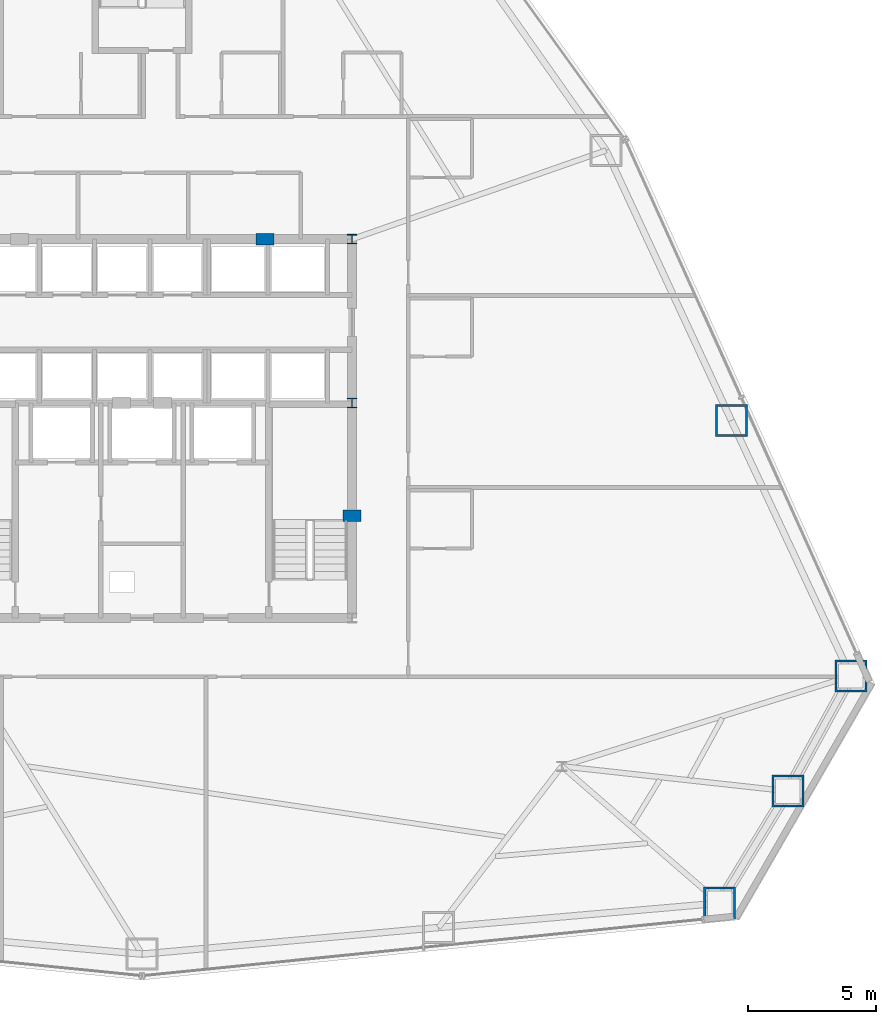
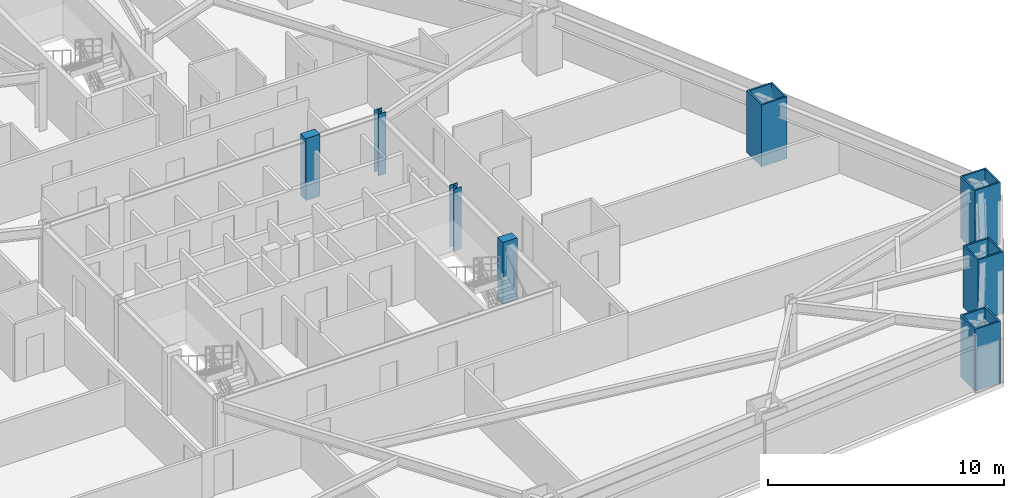
# One storey, part 2 of 12: 8 columns.
"""IFC4 building model written with IfcOpenShell, lengths in metres."""

from ifc_helpers import new_model, si_unit, direction, frame, origin, origin_2d, place, context, subcontext, project, spatial, rectangle, hollow_rectangle, i_section, extrude, material, material_profile, profile_set, type_object, element, save


model = new_model("IFC4")

# Units and contexts
model_context = context("Model", 3, precision=1e-05, world=origin(), true_north=direction((0.0, 1.0)))
body_context = subcontext(model_context, "Body", "Model", "MODEL_VIEW")
ifc_project = project(units=[si_unit("LENGTHUNIT", "METRE"), si_unit("AREAUNIT", "SQUARE_METRE"), si_unit("VOLUMEUNIT", "CUBIC_METRE"), si_unit("PLANEANGLEUNIT", "RADIAN"), si_unit("MASSUNIT", "GRAM", prefix="KILO")], contexts=[model_context])

# Site, building, storey
site_placement = place(None, origin())
site = spatial("IfcSite", under=ifc_project, at=site_placement, CompositionType="ELEMENT")
building_placement = place(site_placement, origin())
building = spatial("IfcBuilding", under=site, at=building_placement, Name="Varakhsha Concourse Tower", CompositionType="ELEMENT")
storey_placement = place(building_placement, frame((0.0, 0.0, 30.39990234375)))
storey = spatial("IfcBuildingStorey", under=building, at=storey_placement, Name="L07", CompositionType="ELEMENT", Elevation=30.39990234375)

# Columns
ifc_material_1 = material(Name="Structural Steel ASTM A992 Grade 50", Category="steel")
ifc_material_profile_1 = material_profile(ifc_material_1, i_section(OverallWidth=0.3740234375, OverallDepth=0.3720703125, WebThickness=0.01611328125, FlangeThickness=0.02587890625, at=origin_2d()), Name="W14X132")
ifc_profile_set_1 = profile_set([ifc_material_profile_1], Name="Structural Steel ASTM A992 Grade 50")
column_type_1 = type_object("IfcColumnType", Name="CL-CORE-W14X132", PredefinedType="COLUMN", material=ifc_profile_set_1)
for number, where, z_axis, x_axis, name in (
    (1, (48.199951171875, 24.800048828125, 0.0), (0.0, 0.0, 1.0), (1.0, 0.0, 0.0), "L07 Core Column CC-ME"),
    (2, (48.199951171875, 31.199951171875, 0.0), (0.0, 0.0, 1.0), (1.0, 0.0, 0.0), "L07 Core Column CC-NE"),
):
    element("IfcColumn", number, at=place(storey_placement, frame(where, z_axis=z_axis, x_axis=x_axis)), inside=storey, type_object=column_type_1, Name=name, PredefinedType="COLUMN", context=body_context, shape_type="SweptSolid", body=[
        extrude(i_section(OverallWidth=0.3740234375, OverallDepth=0.3720703125, WebThickness=0.01611328125, FlangeThickness=0.02587890625, at=origin_2d()), origin(), (0.0, 0.0, 1.0), 3.2001953125),
    ])
ifc_material_2 = material(Name="Concrete fc 65 MPa", Category="concrete")
ifc_material_profile_2 = material_profile(ifc_material_2, rectangle(XDim=0.699951171875, YDim=0.449951171875, at=origin_2d()), Name="RC 700x450")
ifc_profile_set_2 = profile_set([ifc_material_profile_2], Name="Concrete fc 65 MPa")
column_type_2 = type_object("IfcColumnType", Name="CL-PIL-700X450", PredefinedType="PILASTER", material=ifc_profile_set_2)
for number, where, z_axis, x_axis, name in (
    (3, (48.199951171875, 20.39990234375, 0.0), (0.0, 0.0, 1.0), (1.0, 0.0, 0.0), "L07 Core Boundary Pilaster PIL-E1"),
    (4, (44.800048828125, 31.199951171875, 0.0), (0.0, 0.0, 1.0), (1.0, 0.0, 0.0), "L07 Core Boundary Pilaster PIL-N2"),
):
    element("IfcColumn", number, at=place(storey_placement, frame(where, z_axis=z_axis, x_axis=x_axis)), inside=storey, type_object=column_type_2, Name=name, PredefinedType="PILASTER", context=body_context, shape_type="SweptSolid", body=[
        extrude(rectangle(XDim=0.699951171875, YDim=0.449951171875, at=origin_2d()), origin(), (0.0, 0.0, 1.0), 3.2001953125),
    ])
ifc_material_3 = material(Name="Structural Steel ASTM A572 Grade 50", Category="steel")
ifc_material_profile_3 = material_profile(ifc_material_3, hollow_rectangle(XDim=1.25, YDim=1.25, WallThickness=0.080078125, at=origin_2d()), Name="BOX 1250x1250x80")
ifc_profile_set_3 = profile_set([ifc_material_profile_3], Name="Structural Steel ASTM A572 Grade 50")
column_type_3 = type_object("IfcColumnType", Name="CL-TUBE-1250", PredefinedType="COLUMN", material=ifc_profile_set_3)
for number, where, z_axis, x_axis, name in (
    (5, (62.572998046875, 5.250732421875, 0.0), (0.0, 0.0, 1.0), (1.0, 0.0, 0.0), "L07 Framed-Tube Column TC13"),
    (6, (65.236083984375, 9.6298828125, 0.0), (0.0, 0.0, 1.0), (1.0, 0.0, 0.0), "L07 Framed-Tube Column TC14"),
    (7, (67.697265625, 14.125732421875, 0.0), (0.0, 0.0, 1.0), (1.0, 0.0, 0.0), "L07 Framed-Tube Column TC15"),
    (8, (63.027099609375, 24.116455078125, 0.0), (0.0, 0.0, 1.0), (1.0, 0.0, 0.0), "L07 Framed-Tube Column TC16"),
):
    element("IfcColumn", number, at=place(storey_placement, frame(where, z_axis=z_axis, x_axis=x_axis)), inside=storey, type_object=column_type_3, Name=name, PredefinedType="COLUMN", context=body_context, shape_type="SweptSolid", body=[
        extrude(hollow_rectangle(XDim=1.25, YDim=1.25, WallThickness=0.080078125, at=origin_2d()), origin(), (0.0, 0.0, 1.0), 3.2001953125),
    ])

save(model, "model.ifc")
